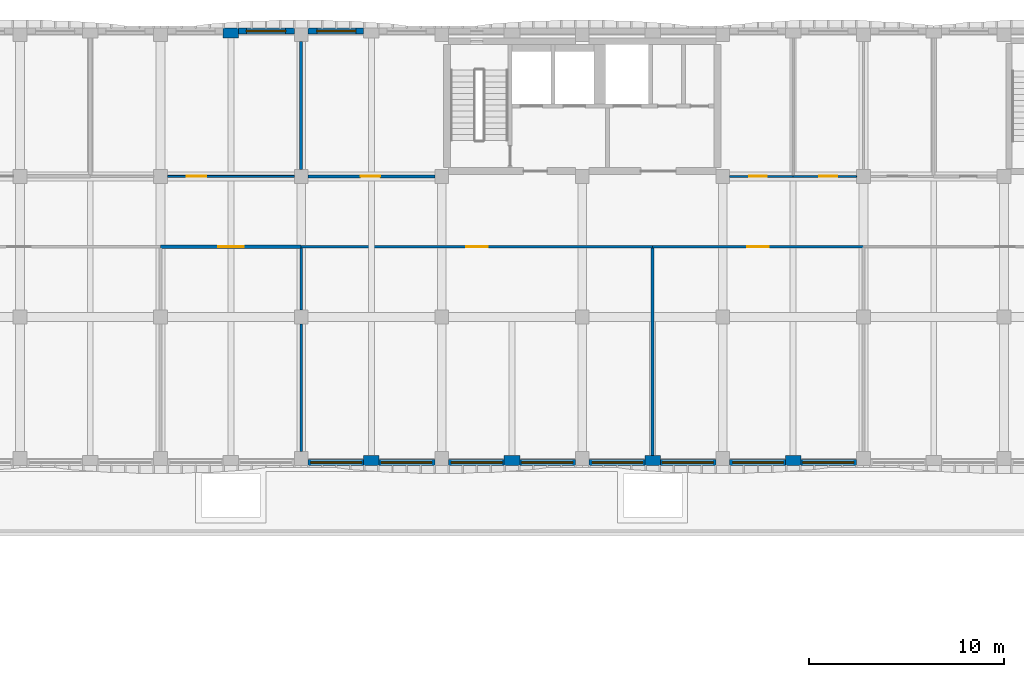
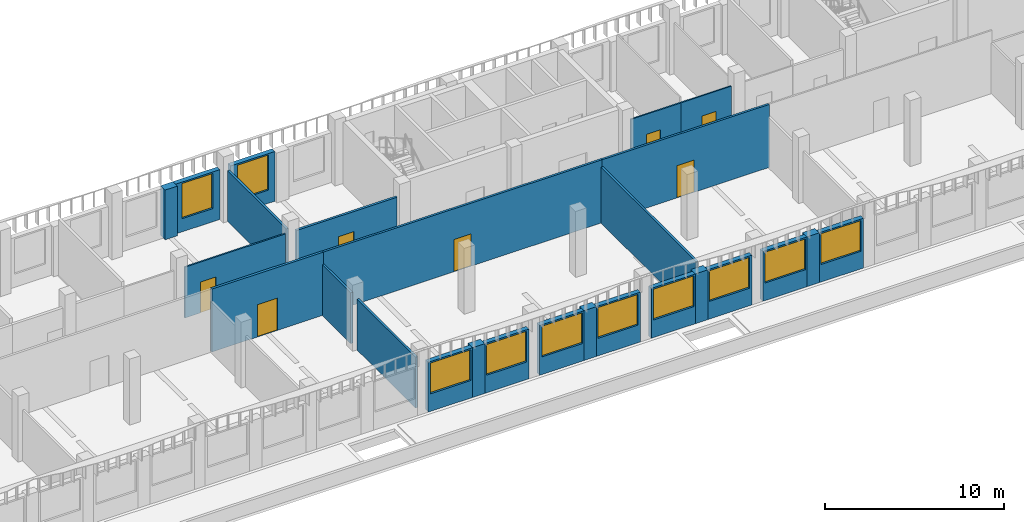
# One storey, part 28 of 59: 26 walls, 10 windows, 7 doors, 17 openings.
"""IFC4 building model written with IfcOpenShell, lengths in metres."""

from ifc_helpers import new_model, si_unit, direction, frame, frame_2d, origin, place, context, subcontext, project, spatial, rectangle, extrude, material, layer, layer_set, type_object, element, fill, save


model = new_model("IFC4")

# Units and contexts
model_context = context("Model", 3, precision=1e-05, world=origin(), true_north=direction((0.0, 1.0)))
body_context = subcontext(model_context, "Body", "Model", "MODEL_VIEW")
ifc_project = project(units=[si_unit("LENGTHUNIT", "METRE"), si_unit("AREAUNIT", "SQUARE_METRE"), si_unit("VOLUMEUNIT", "CUBIC_METRE"), si_unit("PLANEANGLEUNIT", "RADIAN"), si_unit("MASSUNIT", "GRAM", prefix="KILO")], contexts=[model_context])

# Site, building, storey
site_placement = place(None, origin())
site = spatial("IfcSite", under=ifc_project, at=site_placement, CompositionType="ELEMENT")
building_placement = place(site_placement, origin())
building = spatial("IfcBuilding", under=site, at=building_placement, Name="Ussher Court Research Institute", CompositionType="ELEMENT")
storey_placement = place(building_placement, frame((0.0, 0.0, 5.39990234375)))
storey = spatial("IfcBuildingStorey", under=building, at=storey_placement, Name="L01", CompositionType="ELEMENT", Elevation=5.39990234375)

# Wall, opening, window
ifc_material_1 = material(Name="Blockwork with cream render", Category="masonry")
ifc_layer_1 = layer(ifc_material_1, 0.300048828125)
ifc_layer_set_1 = layer_set([ifc_layer_1], Name="Blockwork with cream render")
wall_type_1 = type_object("IfcWallType", Name="External wall 300 cream render", PredefinedType="SOLIDWALL", material=ifc_layer_set_1)
wall_1_placement = place(storey_placement, frame((35.800048828125, 90.64990234375, 0.0), z_axis=(0.0, 0.0, 1.0), x_axis=(1.0, 0.0, 0.0)))
wall_1 = element("IfcWall", 1, at=wall_1_placement, inside=storey, type_object=wall_type_1, Name="External wall EW1 L01", PredefinedType="SOLIDWALL", context=body_context, shape_type="SweptSolid", body=[
    extrude(rectangle(XDim=2.849853515625, YDim=0.300048828125, at=frame_2d((1.4248046875, 0.0))), origin(), (0.0, 0.0, 1.0), 3.400146484375),
])
opening_1_placement = place(wall_1_placement, frame((0.39990234375, 0.0, 0.89990234375)))
opening_1 = element("IfcOpeningElement", 2, at=opening_1_placement, cuts=wall_1, Name="Opening W14", PredefinedType="OPENING", context=body_context, shape_type="SweptSolid", body=[
    extrude(rectangle(XDim=2.0, YDim=2.39990234375, at=frame_2d((1.0, 1.199951171875))), frame((0.0, 0.16015625, 0.0), z_axis=(0.0, -1.0, 0.0), x_axis=(1.0, 0.0, 0.0)), (0.0, 0.0, 1.0), 0.320068359375),
])
ifc_material_2 = material(Name="Bronze anodised aluminium with double glazing", Category="aluminium")
window_type_1 = type_object("IfcWindowType", Name="Seminar and write-up office window 2000x2400", PartitioningType="DOUBLE_PANEL_VERTICAL", PredefinedType="WINDOW", material=ifc_material_2)
window_1_placement = place(opening_1_placement, origin())
window_1 = element("IfcWindow", 3, at=window_1_placement, inside=storey, type_object=window_type_1, Name="Window W14 L01", OverallHeight=2.39990234375, OverallWidth=2.0, PartitioningType="SINGLE_PANEL", PredefinedType="WINDOW", context=body_context, shape_type="SweptSolid", body=[
    extrude(rectangle(XDim=2.0, YDim=2.39990234375, at=frame_2d((1.0, 1.199951171875))), frame((0.0, 0.030029296875, 0.0), z_axis=(0.0, -1.0, 0.0), x_axis=(1.0, 0.0, 0.0)), (0.0, 0.0, 1.0), 0.06005859375),
])
fill(opening_1, window_1)

wall_2_placement = place(storey_placement, frame((39.35009765625, 90.64990234375, 0.0), z_axis=(0.0, 0.0, 1.0), x_axis=(1.0, 0.0, 0.0)))
wall_2 = element("IfcWall", 4, at=wall_2_placement, inside=storey, type_object=wall_type_1, Name="External wall EW1 L01", PredefinedType="SOLIDWALL", context=body_context, shape_type="SweptSolid", body=[
    extrude(rectangle(XDim=2.849853515625, YDim=0.300048828125, at=frame_2d((1.4248046875, 0.0))), origin(), (0.0, 0.0, 1.0), 3.400146484375),
])
opening_2_placement = place(wall_2_placement, frame((0.449951171875, 0.0, 0.89990234375)))
opening_2 = element("IfcOpeningElement", 5, at=opening_2_placement, cuts=wall_2, Name="Opening W14", PredefinedType="OPENING", context=body_context, shape_type="SweptSolid", body=[
    extrude(rectangle(XDim=2.0, YDim=2.39990234375, at=frame_2d((1.0, 1.199951171875))), frame((0.0, 0.16015625, 0.0), z_axis=(0.0, -1.0, 0.0), x_axis=(1.0, 0.0, 0.0)), (0.0, 0.0, 1.0), 0.320068359375),
])
window_2_placement = place(opening_2_placement, origin())
window_2 = element("IfcWindow", 6, at=window_2_placement, inside=storey, type_object=window_type_1, Name="Window W14 L01", OverallHeight=2.39990234375, OverallWidth=2.0, PartitioningType="SINGLE_PANEL", PredefinedType="WINDOW", context=body_context, shape_type="SweptSolid", body=[
    extrude(rectangle(XDim=2.0, YDim=2.39990234375, at=frame_2d((1.0, 1.199951171875))), frame((0.0, 0.030029296875, 0.0), z_axis=(0.0, -1.0, 0.0), x_axis=(1.0, 0.0, 0.0)), (0.0, 0.0, 1.0), 0.06005859375),
])
fill(opening_2, window_2)

wall_3_placement = place(storey_placement, frame((67.449951171875, 68.550048828125, 0.0), z_axis=(0.0, 0.0, 1.0), x_axis=(-1.0, 0.0, 0.0)))
wall_3 = element("IfcWall", 7, at=wall_3_placement, inside=storey, type_object=wall_type_1, Name="External wall EW1 L01", PredefinedType="SOLIDWALL", context=body_context, shape_type="SweptSolid", body=[
    extrude(rectangle(XDim=2.849853515625, YDim=0.300048828125, at=frame_2d((1.4248046875, 0.0))), origin(), (0.0, 0.0, 1.0), 3.400146484375),
])
opening_3_placement = place(wall_3_placement, frame((0.14990234375, 0.0, 1.199951171875)))
opening_3 = element("IfcOpeningElement", 8, at=opening_3_placement, cuts=wall_3, Name="Opening W08", PredefinedType="OPENING", context=body_context, shape_type="SweptSolid", body=[
    extrude(rectangle(XDim=2.60009765625, YDim=2.10009765625, at=frame_2d((1.300048828125, 1.050048828125))), frame((0.0, 0.16015625, 0.0), z_axis=(0.0, -1.0, 0.0), x_axis=(1.0, 0.0, 0.0)), (0.0, 0.0, 1.0), 0.320068359375),
])
ifc_material_3 = material(Name="Bronze anodised aluminium with double glazing", Category="aluminium")
window_type_2 = type_object("IfcWindowType", Name="Dry laboratory bay window 2600x2100", PartitioningType="DOUBLE_PANEL_VERTICAL", PredefinedType="WINDOW", material=ifc_material_3)
window_3_placement = place(opening_3_placement, origin())
window_3 = element("IfcWindow", 9, at=window_3_placement, inside=storey, type_object=window_type_2, Name="Window W08 L01", OverallHeight=2.10009765625, OverallWidth=2.60009765625, PartitioningType="SINGLE_PANEL", PredefinedType="WINDOW", context=body_context, shape_type="SweptSolid", body=[
    extrude(rectangle(XDim=2.60009765625, YDim=2.10009765625, at=frame_2d((1.300048828125, 1.050048828125))), frame((0.0, 0.030029296875, 0.0), z_axis=(0.0, -1.0, 0.0), x_axis=(1.0, 0.0, 0.0)), (0.0, 0.0, 1.0), 0.06005859375),
])
fill(opening_3, window_3)

wall_4_placement = place(storey_placement, frame((63.800048828125, 68.550048828125, 0.0), z_axis=(0.0, 0.0, 1.0), x_axis=(-1.0, 0.0, 0.0)))
wall_4 = element("IfcWall", 10, at=wall_4_placement, inside=storey, type_object=wall_type_1, Name="External wall EW1 L01", PredefinedType="SOLIDWALL", context=body_context, shape_type="SweptSolid", body=[
    extrude(rectangle(XDim=2.85009765625, YDim=0.300048828125, at=frame_2d((1.425048828125, 0.0))), origin(), (0.0, 0.0, 1.0), 3.400146484375),
])
opening_4_placement = place(wall_4_placement, frame((0.10009765625, 0.0, 1.199951171875)))
opening_4 = element("IfcOpeningElement", 11, at=opening_4_placement, cuts=wall_4, Name="Opening W08", PredefinedType="OPENING", context=body_context, shape_type="SweptSolid", body=[
    extrude(rectangle(XDim=2.60009765625, YDim=2.10009765625, at=frame_2d((1.300048828125, 1.050048828125))), frame((0.0, 0.16015625, 0.0), z_axis=(0.0, -1.0, 0.0), x_axis=(1.0, 0.0, 0.0)), (0.0, 0.0, 1.0), 0.320068359375),
])
window_4_placement = place(opening_4_placement, origin())
window_4 = element("IfcWindow", 12, at=window_4_placement, inside=storey, type_object=window_type_2, Name="Window W08 L01", OverallHeight=2.10009765625, OverallWidth=2.60009765625, PartitioningType="SINGLE_PANEL", PredefinedType="WINDOW", context=body_context, shape_type="SweptSolid", body=[
    extrude(rectangle(XDim=2.60009765625, YDim=2.10009765625, at=frame_2d((1.300048828125, 1.050048828125))), frame((0.0, 0.030029296875, 0.0), z_axis=(0.0, -1.0, 0.0), x_axis=(1.0, 0.0, 0.0)), (0.0, 0.0, 1.0), 0.06005859375),
])
fill(opening_4, window_4)

wall_5_placement = place(storey_placement, frame((60.25, 68.550048828125, 0.0), z_axis=(0.0, 0.0, 1.0), x_axis=(-1.0, 0.0, 0.0)))
wall_5 = element("IfcWall", 13, at=wall_5_placement, inside=storey, type_object=wall_type_1, Name="External wall EW1 L01", PredefinedType="SOLIDWALL", context=body_context, shape_type="SweptSolid", body=[
    extrude(rectangle(XDim=2.85009765625, YDim=0.300048828125, at=frame_2d((1.425048828125, 0.0))), origin(), (0.0, 0.0, 1.0), 3.400146484375),
])
opening_5_placement = place(wall_5_placement, frame((0.14990234375, 0.0, 1.199951171875)))
opening_5 = element("IfcOpeningElement", 14, at=opening_5_placement, cuts=wall_5, Name="Opening W08", PredefinedType="OPENING", context=body_context, shape_type="SweptSolid", body=[
    extrude(rectangle(XDim=2.60009765625, YDim=2.10009765625, at=frame_2d((1.300048828125, 1.050048828125))), frame((0.0, 0.16015625, 0.0), z_axis=(0.0, -1.0, 0.0), x_axis=(1.0, 0.0, 0.0)), (0.0, 0.0, 1.0), 0.320068359375),
])
window_5_placement = place(opening_5_placement, origin())
window_5 = element("IfcWindow", 15, at=window_5_placement, inside=storey, type_object=window_type_2, Name="Window W08 L01", OverallHeight=2.10009765625, OverallWidth=2.60009765625, PartitioningType="SINGLE_PANEL", PredefinedType="WINDOW", context=body_context, shape_type="SweptSolid", body=[
    extrude(rectangle(XDim=2.60009765625, YDim=2.10009765625, at=frame_2d((1.300048828125, 1.050048828125))), frame((0.0, 0.030029296875, 0.0), z_axis=(0.0, -1.0, 0.0), x_axis=(1.0, 0.0, 0.0)), (0.0, 0.0, 1.0), 0.06005859375),
])
fill(opening_5, window_5)

wall_6_placement = place(storey_placement, frame((56.60009765625, 68.550048828125, 0.0), z_axis=(0.0, 0.0, 1.0), x_axis=(-1.0, 0.0, 0.0)))
wall_6 = element("IfcWall", 16, at=wall_6_placement, inside=storey, type_object=wall_type_1, Name="External wall EW1 L01", PredefinedType="SOLIDWALL", context=body_context, shape_type="SweptSolid", body=[
    extrude(rectangle(XDim=2.85009765625, YDim=0.300048828125, at=frame_2d((1.425048828125, 0.0))), origin(), (0.0, 0.0, 1.0), 3.400146484375),
])
opening_6_placement = place(wall_6_placement, frame((0.10009765625, 0.0, 1.199951171875)))
opening_6 = element("IfcOpeningElement", 17, at=opening_6_placement, cuts=wall_6, Name="Opening W08", PredefinedType="OPENING", context=body_context, shape_type="SweptSolid", body=[
    extrude(rectangle(XDim=2.60009765625, YDim=2.10009765625, at=frame_2d((1.300048828125, 1.050048828125))), frame((0.0, 0.16015625, 0.0), z_axis=(0.0, -1.0, 0.0), x_axis=(1.0, 0.0, 0.0)), (0.0, 0.0, 1.0), 0.320068359375),
])
window_6_placement = place(opening_6_placement, origin())
window_6 = element("IfcWindow", 18, at=window_6_placement, inside=storey, type_object=window_type_2, Name="Window W08 L01", OverallHeight=2.10009765625, OverallWidth=2.60009765625, PartitioningType="SINGLE_PANEL", PredefinedType="WINDOW", context=body_context, shape_type="SweptSolid", body=[
    extrude(rectangle(XDim=2.60009765625, YDim=2.10009765625, at=frame_2d((1.300048828125, 1.050048828125))), frame((0.0, 0.030029296875, 0.0), z_axis=(0.0, -1.0, 0.0), x_axis=(1.0, 0.0, 0.0)), (0.0, 0.0, 1.0), 0.06005859375),
])
fill(opening_6, window_6)

wall_7_placement = place(storey_placement, frame((53.050048828125, 68.550048828125, 0.0), z_axis=(0.0, 0.0, 1.0), x_axis=(-1.0, 0.0, 0.0)))
wall_7 = element("IfcWall", 19, at=wall_7_placement, inside=storey, type_object=wall_type_1, Name="External wall EW1 L01", PredefinedType="SOLIDWALL", context=body_context, shape_type="SweptSolid", body=[
    extrude(rectangle(XDim=2.85009765625, YDim=0.300048828125, at=frame_2d((1.425048828125, 0.0))), origin(), (0.0, 0.0, 1.0), 3.400146484375),
])
opening_7_placement = place(wall_7_placement, frame((0.14990234375, 0.0, 1.199951171875)))
opening_7 = element("IfcOpeningElement", 20, at=opening_7_placement, cuts=wall_7, Name="Opening W08", PredefinedType="OPENING", context=body_context, shape_type="SweptSolid", body=[
    extrude(rectangle(XDim=2.60009765625, YDim=2.10009765625, at=frame_2d((1.300048828125, 1.050048828125))), frame((0.0, 0.16015625, 0.0), z_axis=(0.0, -1.0, 0.0), x_axis=(1.0, 0.0, 0.0)), (0.0, 0.0, 1.0), 0.320068359375),
])
window_7_placement = place(opening_7_placement, origin())
window_7 = element("IfcWindow", 21, at=window_7_placement, inside=storey, type_object=window_type_2, Name="Window W08 L01", OverallHeight=2.10009765625, OverallWidth=2.60009765625, PartitioningType="SINGLE_PANEL", PredefinedType="WINDOW", context=body_context, shape_type="SweptSolid", body=[
    extrude(rectangle(XDim=2.60009765625, YDim=2.10009765625, at=frame_2d((1.300048828125, 1.050048828125))), frame((0.0, 0.030029296875, 0.0), z_axis=(0.0, -1.0, 0.0), x_axis=(1.0, 0.0, 0.0)), (0.0, 0.0, 1.0), 0.06005859375),
])
fill(opening_7, window_7)

wall_8_placement = place(storey_placement, frame((49.39990234375, 68.550048828125, 0.0), z_axis=(0.0, 0.0, 1.0), x_axis=(-1.0, 0.0, 0.0)))
wall_8 = element("IfcWall", 22, at=wall_8_placement, inside=storey, type_object=wall_type_1, Name="External wall EW1 L01", PredefinedType="SOLIDWALL", context=body_context, shape_type="SweptSolid", body=[
    extrude(rectangle(XDim=2.849853515625, YDim=0.300048828125, at=frame_2d((1.4248046875, 0.0))), origin(), (0.0, 0.0, 1.0), 3.400146484375),
])
opening_8_placement = place(wall_8_placement, frame((0.10009765625, 0.0, 1.199951171875)))
opening_8 = element("IfcOpeningElement", 23, at=opening_8_placement, cuts=wall_8, Name="Opening W08", PredefinedType="OPENING", context=body_context, shape_type="SweptSolid", body=[
    extrude(rectangle(XDim=2.60009765625, YDim=2.10009765625, at=frame_2d((1.300048828125, 1.050048828125))), frame((0.0, 0.16015625, 0.0), z_axis=(0.0, -1.0, 0.0), x_axis=(1.0, 0.0, 0.0)), (0.0, 0.0, 1.0), 0.320068359375),
])
window_8_placement = place(opening_8_placement, origin())
window_8 = element("IfcWindow", 24, at=window_8_placement, inside=storey, type_object=window_type_2, Name="Window W08 L01", OverallHeight=2.10009765625, OverallWidth=2.60009765625, PartitioningType="SINGLE_PANEL", PredefinedType="WINDOW", context=body_context, shape_type="SweptSolid", body=[
    extrude(rectangle(XDim=2.60009765625, YDim=2.10009765625, at=frame_2d((1.300048828125, 1.050048828125))), frame((0.0, 0.030029296875, 0.0), z_axis=(0.0, -1.0, 0.0), x_axis=(1.0, 0.0, 0.0)), (0.0, 0.0, 1.0), 0.06005859375),
])
fill(opening_8, window_8)

wall_9_placement = place(storey_placement, frame((45.85009765625, 68.550048828125, 0.0), z_axis=(0.0, 0.0, 1.0), x_axis=(-1.0, 0.0, 0.0)))
wall_9 = element("IfcWall", 25, at=wall_9_placement, inside=storey, type_object=wall_type_1, Name="External wall EW1 L01", PredefinedType="SOLIDWALL", context=body_context, shape_type="SweptSolid", body=[
    extrude(rectangle(XDim=2.85009765625, YDim=0.300048828125, at=frame_2d((1.425048828125, 0.0))), origin(), (0.0, 0.0, 1.0), 3.400146484375),
])
opening_9_placement = place(wall_9_placement, frame((0.14990234375, 0.0, 1.199951171875)))
opening_9 = element("IfcOpeningElement", 26, at=opening_9_placement, cuts=wall_9, Name="Opening W08", PredefinedType="OPENING", context=body_context, shape_type="SweptSolid", body=[
    extrude(rectangle(XDim=2.60009765625, YDim=2.10009765625, at=frame_2d((1.300048828125, 1.050048828125))), frame((0.0, 0.16015625, 0.0), z_axis=(0.0, -1.0, 0.0), x_axis=(1.0, 0.0, 0.0)), (0.0, 0.0, 1.0), 0.320068359375),
])
window_9_placement = place(opening_9_placement, origin())
window_9 = element("IfcWindow", 27, at=window_9_placement, inside=storey, type_object=window_type_2, Name="Window W08 L01", OverallHeight=2.10009765625, OverallWidth=2.60009765625, PartitioningType="SINGLE_PANEL", PredefinedType="WINDOW", context=body_context, shape_type="SweptSolid", body=[
    extrude(rectangle(XDim=2.60009765625, YDim=2.10009765625, at=frame_2d((1.300048828125, 1.050048828125))), frame((0.0, 0.030029296875, 0.0), z_axis=(0.0, -1.0, 0.0), x_axis=(1.0, 0.0, 0.0)), (0.0, 0.0, 1.0), 0.06005859375),
])
fill(opening_9, window_9)

wall_10_placement = place(storey_placement, frame((42.199951171875, 68.550048828125, 0.0), z_axis=(0.0, 0.0, 1.0), x_axis=(-1.0, 0.0, 0.0)))
wall_10 = element("IfcWall", 28, at=wall_10_placement, inside=storey, type_object=wall_type_1, Name="External wall EW1 L01", PredefinedType="SOLIDWALL", context=body_context, shape_type="SweptSolid", body=[
    extrude(rectangle(XDim=2.849853515625, YDim=0.300048828125, at=frame_2d((1.4248046875, 0.0))), origin(), (0.0, 0.0, 1.0), 3.400146484375),
])
opening_10_placement = place(wall_10_placement, frame((0.10009765625, 0.0, 1.199951171875)))
opening_10 = element("IfcOpeningElement", 29, at=opening_10_placement, cuts=wall_10, Name="Opening W08", PredefinedType="OPENING", context=body_context, shape_type="SweptSolid", body=[
    extrude(rectangle(XDim=2.60009765625, YDim=2.10009765625, at=frame_2d((1.300048828125, 1.050048828125))), frame((0.0, 0.16015625, 0.0), z_axis=(0.0, -1.0, 0.0), x_axis=(1.0, 0.0, 0.0)), (0.0, 0.0, 1.0), 0.320068359375),
])
window_10_placement = place(opening_10_placement, origin())
window_10 = element("IfcWindow", 30, at=window_10_placement, inside=storey, type_object=window_type_2, Name="Window W08 L01", OverallHeight=2.10009765625, OverallWidth=2.60009765625, PartitioningType="SINGLE_PANEL", PredefinedType="WINDOW", context=body_context, shape_type="SweptSolid", body=[
    extrude(rectangle(XDim=2.60009765625, YDim=2.10009765625, at=frame_2d((1.300048828125, 1.050048828125))), frame((0.0, 0.030029296875, 0.0), z_axis=(0.0, -1.0, 0.0), x_axis=(1.0, 0.0, 0.0)), (0.0, 0.0, 1.0), 0.06005859375),
])
fill(opening_10, window_10)

# Wall, opening, door
ifc_material_4 = material(Name="Plastered blockwork", Category="masonry")
ifc_layer_2 = layer(ifc_material_4, 0.14990234375)
ifc_layer_set_2 = layer_set([ifc_layer_2], Name="Plastered blockwork")
wall_type_2 = type_object("IfcWallType", Name="Fire partition blockwork 150 EI 60", PredefinedType="PARTITIONING", material=ifc_layer_set_2)
wall_11_placement = place(storey_placement, frame((39.35009765625, 83.199951171875, 0.0), z_axis=(0.0, 0.0, 1.0), x_axis=(1.0, 0.0, 0.0)))
wall_11 = element("IfcWall", 31, at=wall_11_placement, inside=storey, type_object=wall_type_2, Name="Fire partition", PredefinedType="PARTITIONING", context=body_context, shape_type="SweptSolid", body=[
    extrude(rectangle(XDim=6.5, YDim=0.14990234375, at=frame_2d((3.25, 0.0))), origin(), (0.0, 0.0, 1.0), 3.47021484375),
])
opening_11_placement = place(wall_11_placement, frame((2.699951171875, 0.0, 0.0)))
opening_11 = element("IfcOpeningElement", 32, at=opening_11_placement, cuts=wall_11, Name="Opening D01031", PredefinedType="OPENING", context=body_context, shape_type="SweptSolid", body=[
    extrude(rectangle(XDim=1.0, YDim=2.10009765625, at=frame_2d((0.5, 1.050048828125))), frame((0.0, 0.0849609375, 0.0), z_axis=(0.0, -1.0, 0.0), x_axis=(1.0, 0.0, 0.0)), (0.0, 0.0, 1.0), 0.169921875),
])
ifc_material_5 = material(Name="Painted steel faced fire door", Category="steel")
door_type_1 = type_object("IfcDoorType", Name="Store door 1000x2100 FD60", OperationType="NOTDEFINED", PredefinedType="DOOR", material=ifc_material_5)
door_1_placement = place(opening_11_placement, origin())
door_1 = element("IfcDoor", 33, at=door_1_placement, inside=storey, type_object=door_type_1, Name="Door D01031", OperationType="SINGLE_SWING_LEFT", OverallHeight=2.10009765625, OverallWidth=1.0, PredefinedType="DOOR", context=body_context, shape_type="SweptSolid", body=[
    extrude(rectangle(XDim=1.0, YDim=2.10009765625, at=frame_2d((0.5, 1.050048828125))), frame((0.0, 0.02490234375, 0.0), z_axis=(0.0, -1.0, 0.0), x_axis=(1.0, 0.0, 0.0)), (0.0, 0.0, 1.0), 0.050048828125),
])
fill(opening_11, door_1)

# Wall
wall_12_placement = place(storey_placement, frame((39.0, 83.550048828125, 0.0), z_axis=(0.0, 0.0, 1.0), x_axis=(0.0, 1.0, 0.0)))
element("IfcWall", 34, at=wall_12_placement, inside=storey, type_object=wall_type_2, Name="Fire partition", PredefinedType="PARTITIONING", context=body_context, shape_type="SweptSolid", body=[
    extrude(rectangle(XDim=6.550048828125, YDim=0.14990234375, at=frame_2d((3.27490234375, 0.0))), origin(), (0.0, 0.0, 1.0), 3.47021484375),
])

# Wall, opening, door
ifc_material_6 = material(Name="Dense concrete blockwork", Category="masonry")
ifc_layer_3 = layer(ifc_material_6, 0.159912109375)
ifc_layer_set_3 = layer_set([ifc_layer_3], Name="Dense concrete blockwork")
wall_type_3 = type_object("IfcWallType", Name="Instrument room dense block partition 160", PredefinedType="PARTITIONING", material=ifc_layer_set_3)
wall_13_placement = place(storey_placement, frame((39.0, 79.60009765625, 0.0), z_axis=(0.0, 0.0, 1.0), x_axis=(-1.0, 0.0, 0.0)))
wall_13 = element("IfcWall", 35, at=wall_13_placement, inside=storey, type_object=wall_type_3, Name="Partition", PredefinedType="PARTITIONING", context=body_context, shape_type="SweptSolid", body=[
    extrude(rectangle(XDim=7.199951171875, YDim=0.159912109375, at=frame_2d((3.60009765625, 0.0))), origin(), (0.0, 0.0, 1.0), 4.300048828125),
])
opening_12_placement = place(wall_13_placement, frame((2.949951171875, 0.0, 0.0)))
opening_12 = element("IfcOpeningElement", 36, at=opening_12_placement, cuts=wall_13, Name="Opening D01028", PredefinedType="OPENING", context=body_context, shape_type="SweptSolid", body=[
    extrude(rectangle(XDim=1.300048828125, YDim=2.199951171875, at=frame_2d((0.64990234375, 1.10009765625))), frame((0.0, 0.08984375, 0.0), z_axis=(0.0, -1.0, 0.0), x_axis=(1.0, 0.0, 0.0)), (0.0, 0.0, 1.0), 0.179931640625),
])
ifc_material_7 = material(Name="Veneered timber door", Category="wood")
door_type_2 = type_object("IfcDoorType", Name="Instrument room door 1300x2200", OperationType="NOTDEFINED", PredefinedType="DOOR", material=ifc_material_7)
door_2_placement = place(opening_12_placement, origin())
door_2 = element("IfcDoor", 37, at=door_2_placement, inside=storey, type_object=door_type_2, Name="Door D01028", OperationType="SINGLE_SWING_RIGHT", OverallHeight=2.199951171875, OverallWidth=1.300048828125, PredefinedType="DOOR", context=body_context, shape_type="SweptSolid", body=[
    extrude(rectangle(XDim=1.300048828125, YDim=2.199951171875, at=frame_2d((0.64990234375, 1.10009765625))), frame((0.0, 0.02490234375, 0.0), z_axis=(0.0, -1.0, 0.0), x_axis=(1.0, 0.0, 0.0)), (0.0, 0.0, 1.0), 0.050048828125),
])
fill(opening_12, door_2)

ifc_material_8 = material(Name="Plastered blockwork", Category="masonry")
ifc_layer_4 = layer(ifc_material_8, 0.139892578125)
ifc_layer_set_4 = layer_set([ifc_layer_4], Name="Plastered blockwork")
wall_type_4 = type_object("IfcWallType", Name="Laboratory blockwork partition 140", PredefinedType="PARTITIONING", material=ifc_layer_set_4)
wall_14_placement = place(storey_placement, frame((57.0, 79.60009765625, 0.0), z_axis=(0.0, 0.0, 1.0), x_axis=(-1.0, 0.0, 0.0)))
wall_14 = element("IfcWall", 38, at=wall_14_placement, inside=storey, type_object=wall_type_4, Name="Partition", PredefinedType="PARTITIONING", context=body_context, shape_type="SweptSolid", body=[
    extrude(rectangle(XDim=18.0, YDim=0.139892578125, at=frame_2d((9.0, 0.0))), origin(), (0.0, 0.0, 1.0), 4.300048828125),
])
opening_13_placement = place(wall_14_placement, frame((8.449951171875, 0.0, 0.0)))
opening_13 = element("IfcOpeningElement", 39, at=opening_13_placement, cuts=wall_14, Name="Opening D01032", PredefinedType="OPENING", context=body_context, shape_type="SweptSolid", body=[
    extrude(rectangle(XDim=1.10009765625, YDim=2.199951171875, at=frame_2d((0.550048828125, 1.10009765625))), frame((0.0, 0.080078125, 0.0), z_axis=(0.0, -1.0, 0.0), x_axis=(1.0, 0.0, 0.0)), (0.0, 0.0, 1.0), 0.159912109375),
])
ifc_material_9 = material(Name="Veneered timber door", Category="wood")
door_type_3 = type_object("IfcDoorType", Name="Computing laboratory door 1100x2200", OperationType="NOTDEFINED", PredefinedType="DOOR", material=ifc_material_9)
door_3_placement = place(opening_13_placement, origin())
door_3 = element("IfcDoor", 40, at=door_3_placement, inside=storey, type_object=door_type_3, Name="Door D01032", OperationType="SINGLE_SWING_LEFT", OverallHeight=2.199951171875, OverallWidth=1.10009765625, PredefinedType="DOOR", context=body_context, shape_type="SweptSolid", body=[
    extrude(rectangle(XDim=1.10009765625, YDim=2.199951171875, at=frame_2d((0.550048828125, 1.10009765625))), frame((0.0, 0.02490234375, 0.0), z_axis=(0.0, -1.0, 0.0), x_axis=(1.0, 0.0, 0.0)), (0.0, 0.0, 1.0), 0.050048828125),
])
fill(opening_13, door_3)

wall_15_placement = place(storey_placement, frame((67.800048828125, 79.60009765625, 0.0), z_axis=(0.0, 0.0, 1.0), x_axis=(-1.0, 0.0, 0.0)))
wall_15 = element("IfcWall", 41, at=wall_15_placement, inside=storey, type_object=wall_type_4, Name="Partition", PredefinedType="PARTITIONING", context=body_context, shape_type="SweptSolid", body=[
    extrude(rectangle(XDim=10.800048828125, YDim=0.139892578125, at=frame_2d((5.39990234375, 0.0))), origin(), (0.0, 0.0, 1.0), 4.300048828125),
])
opening_14_placement = place(wall_15_placement, frame((4.85009765625, 0.0, 0.0)))
opening_14 = element("IfcOpeningElement", 42, at=opening_14_placement, cuts=wall_15, Name="Opening D01038", PredefinedType="OPENING", context=body_context, shape_type="SweptSolid", body=[
    extrude(rectangle(XDim=1.10009765625, YDim=2.199951171875, at=frame_2d((0.550048828125, 1.10009765625))), frame((0.0, 0.080078125, 0.0), z_axis=(0.0, -1.0, 0.0), x_axis=(1.0, 0.0, 0.0)), (0.0, 0.0, 1.0), 0.159912109375),
])
door_4_placement = place(opening_14_placement, origin())
door_4 = element("IfcDoor", 43, at=door_4_placement, inside=storey, type_object=door_type_3, Name="Door D01038", OperationType="SINGLE_SWING_RIGHT", OverallHeight=2.199951171875, OverallWidth=1.10009765625, PredefinedType="DOOR", context=body_context, shape_type="SweptSolid", body=[
    extrude(rectangle(XDim=1.10009765625, YDim=2.199951171875, at=frame_2d((0.550048828125, 1.10009765625))), frame((0.0, 0.02490234375, 0.0), z_axis=(0.0, -1.0, 0.0), x_axis=(1.0, 0.0, 0.0)), (0.0, 0.0, 1.0), 0.050048828125),
])
fill(opening_14, door_4)

# Walls
wall_16_placement = place(storey_placement, frame((39.0, 69.10009765625, 0.0), z_axis=(0.0, 0.0, 1.0), x_axis=(0.0, 1.0, 0.0)))
element("IfcWall", 44, at=wall_16_placement, inside=storey, type_object=wall_type_4, Name="Partition", PredefinedType="PARTITIONING", context=body_context, shape_type="SweptSolid", body=[
    extrude(rectangle(XDim=6.5498046875, YDim=0.139892578125, at=frame_2d((3.27490234375, 0.0))), origin(), (0.0, 0.0, 1.0), 3.47021484375),
])
wall_17_placement = place(storey_placement, frame((39.0, 76.35009765625, 0.0), z_axis=(0.0, 0.0, 1.0), x_axis=(0.0, 1.0, 0.0)))
element("IfcWall", 45, at=wall_17_placement, inside=storey, type_object=wall_type_4, Name="Partition", PredefinedType="PARTITIONING", context=body_context, shape_type="SweptSolid", body=[
    extrude(rectangle(XDim=3.179931640625, YDim=0.139892578125, at=frame_2d((1.58984375, 0.0))), origin(), (0.0, 0.0, 1.0), 3.47021484375),
])
wall_18_placement = place(storey_placement, frame((57.0, 68.89990234375, 0.0), z_axis=(0.0, 0.0, 1.0), x_axis=(0.0, 1.0, 0.0)))
element("IfcWall", 46, at=wall_18_placement, inside=storey, type_object=wall_type_4, Name="Partition", PredefinedType="PARTITIONING", context=body_context, shape_type="SweptSolid", body=[
    extrude(rectangle(XDim=10.630126953125, YDim=0.139892578125, at=frame_2d((5.31494140625, 0.0))), origin(), (0.0, 0.0, 1.0), 3.820068359375),
])

# Wall, opening, door
ifc_material_10 = material(Name="Plastered blockwork", Category="masonry")
ifc_layer_5 = layer(ifc_material_10, 0.10009765625)
ifc_layer_set_5 = layer_set([ifc_layer_5], Name="Plastered blockwork")
wall_type_5 = type_object("IfcWallType", Name="Partition plastered blockwork 100", PredefinedType="PARTITIONING", material=ifc_layer_set_5)
wall_19_placement = place(storey_placement, frame((32.14990234375, 83.199951171875, 0.0), z_axis=(0.0, 0.0, 1.0), x_axis=(1.0, 0.0, 0.0)))
wall_19 = element("IfcWall", 47, at=wall_19_placement, inside=storey, type_object=wall_type_5, Name="Partition", PredefinedType="PARTITIONING", context=body_context, shape_type="SweptSolid", body=[
    extrude(rectangle(XDim=6.5, YDim=0.10009765625, at=frame_2d((3.25, 0.0))), origin(), (0.0, 0.0, 1.0), 3.47021484375),
])
opening_15_placement = place(wall_19_placement, frame((1.0, 0.0, 0.0)))
opening_15 = element("IfcOpeningElement", 48, at=opening_15_placement, cuts=wall_19, Name="Opening D01024", PredefinedType="OPENING", context=body_context, shape_type="SweptSolid", body=[
    extrude(rectangle(XDim=1.0, YDim=2.10009765625, at=frame_2d((0.5, 1.050048828125))), frame((0.0, 0.06005859375, 0.0), z_axis=(0.0, -1.0, 0.0), x_axis=(1.0, 0.0, 0.0)), (0.0, 0.0, 1.0), 0.1201171875),
])
ifc_material_11 = material(Name="Veneered timber door", Category="wood")
door_type_4 = type_object("IfcDoorType", Name="Office door 1000x2100", OperationType="NOTDEFINED", PredefinedType="DOOR", material=ifc_material_11)
door_5_placement = place(opening_15_placement, origin())
door_5 = element("IfcDoor", 49, at=door_5_placement, inside=storey, type_object=door_type_4, Name="Door D01024", OperationType="SINGLE_SWING_LEFT", OverallHeight=2.10009765625, OverallWidth=1.0, PredefinedType="DOOR", context=body_context, shape_type="SweptSolid", body=[
    extrude(rectangle(XDim=1.0, YDim=2.10009765625, at=frame_2d((0.5, 1.050048828125))), frame((0.0, 0.02490234375, 0.0), z_axis=(0.0, -1.0, 0.0), x_axis=(1.0, 0.0, 0.0)), (0.0, 0.0, 1.0), 0.050048828125),
])
fill(opening_15, door_5)

# Walls
ifc_material_12 = material(Name="Blockwork with cream render", Category="masonry")
ifc_layer_6 = layer(ifc_material_12, 0.5)
ifc_layer_set_6 = layer_set([ifc_layer_6], Name="Blockwork with cream render")
wall_type_6 = type_object("IfcWallType", Name="Pier 800x500 cream render", PredefinedType="SOLIDWALL", material=ifc_layer_set_6)
for number, where, z_axis, x_axis, name in (
    (50, (35.0, 90.550048828125, 0.0), (0.0, 0.0, 1.0), (1.0, 0.0, 0.0), "Pier PR1 L01"),
    (51, (64.60009765625, 68.64990234375, 0.0), (0.0, 0.0, 1.0), (-1.0, 0.0, 0.0), "Pier PR1 L01"),
):
    element("IfcWall", number, at=place(storey_placement, frame(where, z_axis=z_axis, x_axis=x_axis)), inside=storey, type_object=wall_type_6, Name=name, PredefinedType="SOLIDWALL", context=body_context, shape_type="SweptSolid", body=[
        extrude(rectangle(XDim=0.800048828125, YDim=0.5, at=frame_2d((0.39990234375, 0.0))), origin(), (0.0, 0.0, 1.0), 3.400146484375),
    ])
wall_20_placement = place(storey_placement, frame((57.39990234375, 68.64990234375, 0.0), z_axis=(0.0, 0.0, 1.0), x_axis=(-1.0, 0.0, 0.0)))
element("IfcWall", 52, at=wall_20_placement, inside=storey, type_object=wall_type_6, Name="Pier PR1 L01", PredefinedType="SOLIDWALL", context=body_context, shape_type="SweptSolid", body=[
    extrude(rectangle(XDim=0.7998046875, YDim=0.5, at=frame_2d((0.39990234375, 0.0))), origin(), (0.0, 0.0, 1.0), 3.400146484375),
])
for number, where, z_axis, x_axis, name in (
    (53, (50.199951171875, 68.64990234375, 0.0), (0.0, 0.0, 1.0), (-1.0, 0.0, 0.0), "Pier PR1 L01"),
    (54, (43.0, 68.64990234375, 0.0), (0.0, 0.0, 1.0), (-1.0, 0.0, 0.0), "Pier PR1 L01"),
):
    element("IfcWall", number, at=place(storey_placement, frame(where, z_axis=z_axis, x_axis=x_axis)), inside=storey, type_object=wall_type_6, Name=name, PredefinedType="SOLIDWALL", context=body_context, shape_type="SweptSolid", body=[
        extrude(rectangle(XDim=0.800048828125, YDim=0.5, at=frame_2d((0.39990234375, 0.0))), origin(), (0.0, 0.0, 1.0), 3.400146484375),
    ])

# Wall, opening, door
ifc_material_13 = material(Name="Moisture-resistant board on steel studs", Category="steel")
ifc_layer_7 = layer(ifc_material_13, 0.090087890625)
ifc_layer_set_7 = layer_set([ifc_layer_7], Name="Moisture-resistant board on steel studs")
wall_type_7 = type_object("IfcWallType", Name="WC lining partition 90", PredefinedType="PARTITIONING", material=ifc_layer_set_7)
wall_21_placement = place(storey_placement, frame((60.949951171875, 83.199951171875, 0.0), z_axis=(0.0, 0.0, 1.0), x_axis=(1.0, 0.0, 0.0)))
wall_21 = element("IfcWall", 55, at=wall_21_placement, inside=storey, type_object=wall_type_7, Name="Partition", PredefinedType="PARTITIONING", context=body_context, shape_type="SweptSolid", body=[
    extrude(rectangle(XDim=3.25, YDim=0.090087890625, at=frame_2d((1.625, 0.0))), origin(), (0.0, 0.0, 1.0), 3.47021484375),
])
opening_16_placement = place(wall_21_placement, frame((1.0, 0.0, 0.0)))
opening_16 = element("IfcOpeningElement", 56, at=opening_16_placement, cuts=wall_21, Name="Opening D01039", PredefinedType="OPENING", context=body_context, shape_type="SweptSolid", body=[
    extrude(rectangle(XDim=0.89990234375, YDim=2.10009765625, at=frame_2d((0.449951171875, 1.050048828125))), frame((0.0, 0.05517578125, 0.0), z_axis=(0.0, -1.0, 0.0), x_axis=(1.0, 0.0, 0.0)), (0.0, 0.0, 1.0), 0.110107421875),
])
ifc_material_14 = material(Name="Veneered timber door", Category="wood")
door_type_5 = type_object("IfcDoorType", Name="WC door 900x2100", OperationType="NOTDEFINED", PredefinedType="DOOR", material=ifc_material_14)
door_6_placement = place(opening_16_placement, origin())
door_6 = element("IfcDoor", 57, at=door_6_placement, inside=storey, type_object=door_type_5, Name="Door D01039", OperationType="SINGLE_SWING_LEFT", OverallHeight=2.10009765625, OverallWidth=0.89990234375, PredefinedType="DOOR", context=body_context, shape_type="SweptSolid", body=[
    extrude(rectangle(XDim=0.89990234375, YDim=2.10009765625, at=frame_2d((0.449951171875, 1.050048828125))), frame((0.0, 0.02490234375, 0.0), z_axis=(0.0, -1.0, 0.0), x_axis=(1.0, 0.0, 0.0)), (0.0, 0.0, 1.0), 0.050048828125),
])
fill(opening_16, door_6)

wall_22_placement = place(storey_placement, frame((64.199951171875, 83.199951171875, 0.0), z_axis=(0.0, 0.0, 1.0), x_axis=(1.0, 0.0, 0.0)))
wall_22 = element("IfcWall", 58, at=wall_22_placement, inside=storey, type_object=wall_type_7, Name="Partition", PredefinedType="PARTITIONING", context=body_context, shape_type="SweptSolid", body=[
    extrude(rectangle(XDim=3.25, YDim=0.090087890625, at=frame_2d((1.625, 0.0))), origin(), (0.0, 0.0, 1.0), 3.47021484375),
])
opening_17_placement = place(wall_22_placement, frame((1.35009765625, 0.0, 0.0)))
opening_17 = element("IfcOpeningElement", 59, at=opening_17_placement, cuts=wall_22, Name="Opening D01043", PredefinedType="OPENING", context=body_context, shape_type="SweptSolid", body=[
    extrude(rectangle(XDim=0.89990234375, YDim=2.10009765625, at=frame_2d((0.449951171875, 1.050048828125))), frame((0.0, 0.05517578125, 0.0), z_axis=(0.0, -1.0, 0.0), x_axis=(1.0, 0.0, 0.0)), (0.0, 0.0, 1.0), 0.110107421875),
])
door_7_placement = place(opening_17_placement, origin())
door_7 = element("IfcDoor", 60, at=door_7_placement, inside=storey, type_object=door_type_5, Name="Door D01043", OperationType="SINGLE_SWING_RIGHT", OverallHeight=2.10009765625, OverallWidth=0.89990234375, PredefinedType="DOOR", context=body_context, shape_type="SweptSolid", body=[
    extrude(rectangle(XDim=0.89990234375, YDim=2.10009765625, at=frame_2d((0.449951171875, 1.050048828125))), frame((0.0, 0.02490234375, 0.0), z_axis=(0.0, -1.0, 0.0), x_axis=(1.0, 0.0, 0.0)), (0.0, 0.0, 1.0), 0.050048828125),
])
fill(opening_17, door_7)

save(model, "model.ifc")
